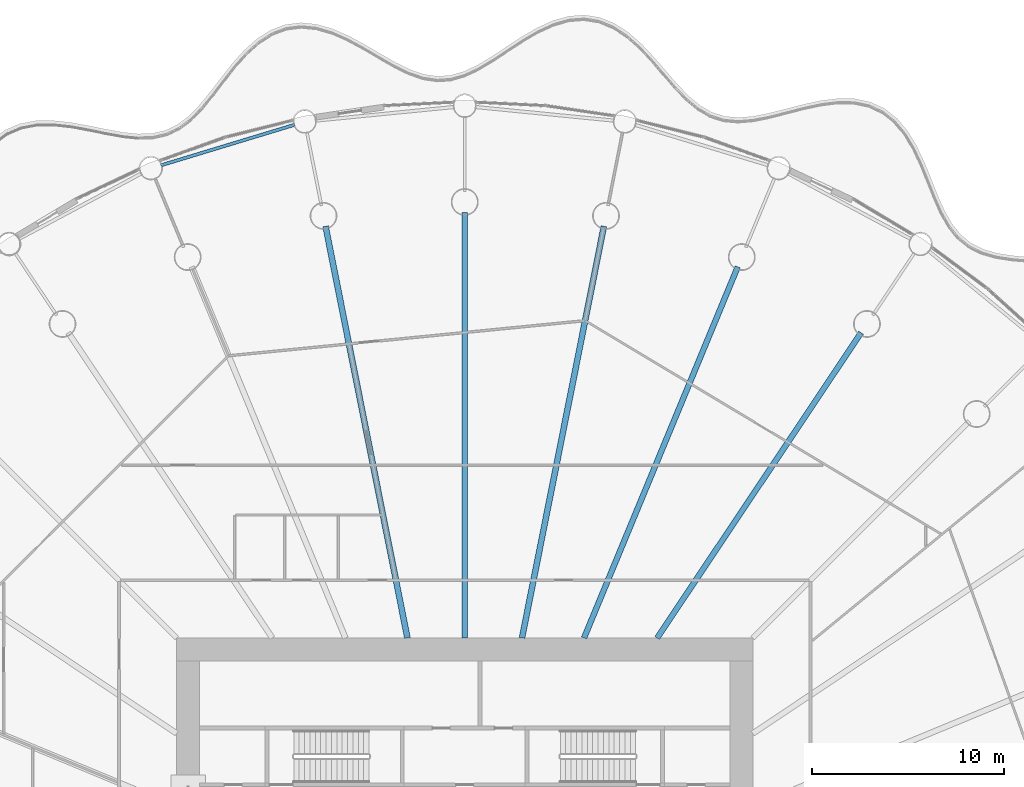
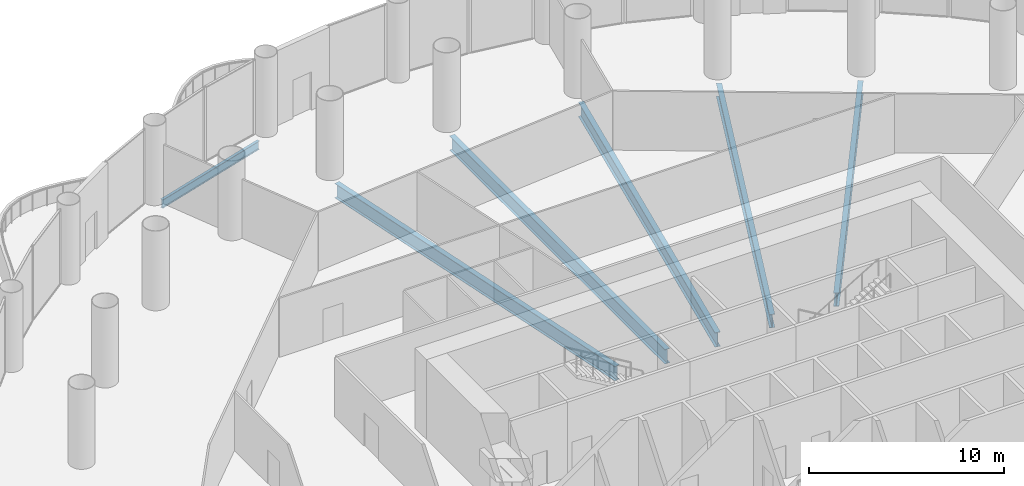
# One storey, part 16 of 35: 6 beams.
"""IFC4 building model written with IfcOpenShell, lengths in metres."""

from ifc_helpers import new_model, si_unit, direction, frame, origin, origin_2d, place, context, subcontext, project, spatial, i_section, extrude, material, material_profile, profile_set, type_object, element, save


model = new_model("IFC4")

# Units and contexts
model_context = context("Model", 3, precision=1e-05, world=origin(), true_north=direction((0.0, 1.0)))
body_context = subcontext(model_context, "Body", "Model", "MODEL_VIEW")
ifc_project = project(units=[si_unit("LENGTHUNIT", "METRE"), si_unit("AREAUNIT", "SQUARE_METRE"), si_unit("VOLUMEUNIT", "CUBIC_METRE"), si_unit("PLANEANGLEUNIT", "RADIAN"), si_unit("MASSUNIT", "GRAM", prefix="KILO")], contexts=[model_context])

# Site, building, storey
site_placement = place(None, origin())
site = spatial("IfcSite", under=ifc_project, at=site_placement, CompositionType="ELEMENT")
building_placement = place(site_placement, origin())
building = spatial("IfcBuilding", under=site, at=building_placement, Name="Corvane Civic Tower", CompositionType="ELEMENT")
storey_placement = place(building_placement, frame((0.0, 0.0, 27.0)))
storey = spatial("IfcBuildingStorey", under=building, at=storey_placement, Name="L05", CompositionType="ELEMENT", Elevation=27.0)

# Beams
ifc_material_1 = material(Name="Steel ASTM A992 Gr 50", Category="steel")
ifc_material_profile_1 = material_profile(ifc_material_1, i_section(OverallWidth=0.165771484375, OverallDepth=0.5283203125, WebThickness=0.009765625, FlangeThickness=0.013671875, at=origin_2d()), Name="W21X50")
ifc_profile_set_1 = profile_set([ifc_material_profile_1], Name="Steel ASTM A992 Gr 50")
beam_type_1 = type_object("IfcBeamType", Name="EDGE BEAM W21X50", PredefinedType="BEAM", material=ifc_profile_set_1)
beam_1_placement = place(storey_placement, frame((-15.814208984375, 39.609375, -0.564208984375), z_axis=(0.956938225664, 0.290291633127, 0.0), x_axis=(-0.290291633127, 0.956938225664, 0.0)))
element("IfcBeam", 1, at=beam_1_placement, inside=storey, type_object=beam_type_1, Name="BM-L05-E31", PredefinedType="BEAM", context=body_context, shape_type="SweptSolid", body=[
    extrude(i_section(OverallWidth=0.165771484375, OverallDepth=0.5283203125, WebThickness=0.009765625, FlangeThickness=0.013671875, at=origin_2d()), origin(), (0.0, 0.0, 1.0), 7.2705078125),
])
ifc_material_2 = material(Name="Steel ASTM A992 Gr 50", Category="steel")
ifc_material_profile_2 = material_profile(ifc_material_2, i_section(OverallWidth=0.2919921875, OverallDepth=0.845703125, WebThickness=0.015380859375, FlangeThickness=0.0244140625, at=origin_2d()), Name="W33X141")
ifc_profile_set_2 = profile_set([ifc_material_profile_2], Name="Steel ASTM A992 Gr 50")
beam_type_2 = type_object("IfcBeamType", Name="FLOOR GIRDER W33X141", PredefinedType="BEAM", material=ifc_profile_set_2)
beam_2_placement = place(storey_placement, frame((6.213134765625, 15.0, -0.722900390625), z_axis=(0.382692360381, 0.923875834355, 0.0), x_axis=(-0.923875834355, 0.382692360381, 0.0)))
element("IfcBeam", 2, at=beam_2_placement, inside=storey, type_object=beam_type_2, Name="BM-L05-G03", PredefinedType="BEAM", context=body_context, shape_type="SweptSolid", body=[
    extrude(i_section(OverallWidth=0.2919921875, OverallDepth=0.845703125, WebThickness=0.015380859375, FlangeThickness=0.0244140625, at=origin_2d()), origin(), (0.0, 0.0, 1.0), 20.9140625),
])
beam_3_placement = place(storey_placement, frame((10.022705078125, 15.0, -0.722900390625), z_axis=(0.555566681385, 0.831471985418, 0.0), x_axis=(-0.831471985418, 0.555566681385, 0.0)))
element("IfcBeam", 3, at=beam_3_placement, inside=storey, type_object=beam_type_2, Name="BM-L05-G04", PredefinedType="BEAM", context=body_context, shape_type="SweptSolid", body=[
    extrude(i_section(OverallWidth=0.2919921875, OverallDepth=0.845703125, WebThickness=0.015380859375, FlangeThickness=0.0244140625, at=origin_2d()), origin(), (0.0, 0.0, 1.0), 19.109619140625),
])
ifc_material_3 = material(Name="Steel ASTM A992 Gr 50", Category="steel")
ifc_material_profile_3 = material_profile(ifc_material_3, i_section(OverallWidth=0.3046875, OverallDepth=0.911865234375, WebThickness=0.015869140625, FlangeThickness=0.02392578125, at=origin_2d()), Name="W36X150")
ifc_profile_set_3 = profile_set([ifc_material_profile_3], Name="Steel ASTM A992 Gr 50")
beam_type_3 = type_object("IfcBeamType", Name="FLOOR GIRDER W36X150", PredefinedType="BEAM", material=ifc_profile_set_3)
beam_4_placement = place(storey_placement, frame((0.0, 15.0, -0.755859375), z_axis=(0.0, 1.0, 0.0), x_axis=(-1.0, 0.0, 0.0)))
element("IfcBeam", 4, at=beam_4_placement, inside=storey, type_object=beam_type_3, Name="BM-L05-G01", PredefinedType="BEAM", context=body_context, shape_type="SweptSolid", body=[
    extrude(i_section(OverallWidth=0.3046875, OverallDepth=0.911865234375, WebThickness=0.015869140625, FlangeThickness=0.02392578125, at=origin_2d()), origin(), (0.0, 0.0, 1.0), 22.14990234375),
])
for number, where, z_axis, x_axis, name in (
    (5, (2.983642578125, 15.0, -0.755859375), (0.195089219638, 0.980785499679, 0.0), (-0.980785499679, 0.195089219638, 0.0), "BM-L05-G02"),
    (6, (-2.983642578125, 15.0, -0.755859375), (-0.195089219638, 0.980785499679, 0.0), (-0.980785499679, -0.195089219638, 0.0), "BM-L05-G32"),
):
    element("IfcBeam", number, at=place(storey_placement, frame(where, z_axis=z_axis, x_axis=x_axis)), inside=storey, type_object=beam_type_3, Name=name, PredefinedType="BEAM", context=body_context, shape_type="SweptSolid", body=[
        extrude(i_section(OverallWidth=0.3046875, OverallDepth=0.911865234375, WebThickness=0.015869140625, FlangeThickness=0.02392578125, at=origin_2d()), origin(), (0.0, 0.0, 1.0), 21.856201171875),
    ])

save(model, "model.ifc")
